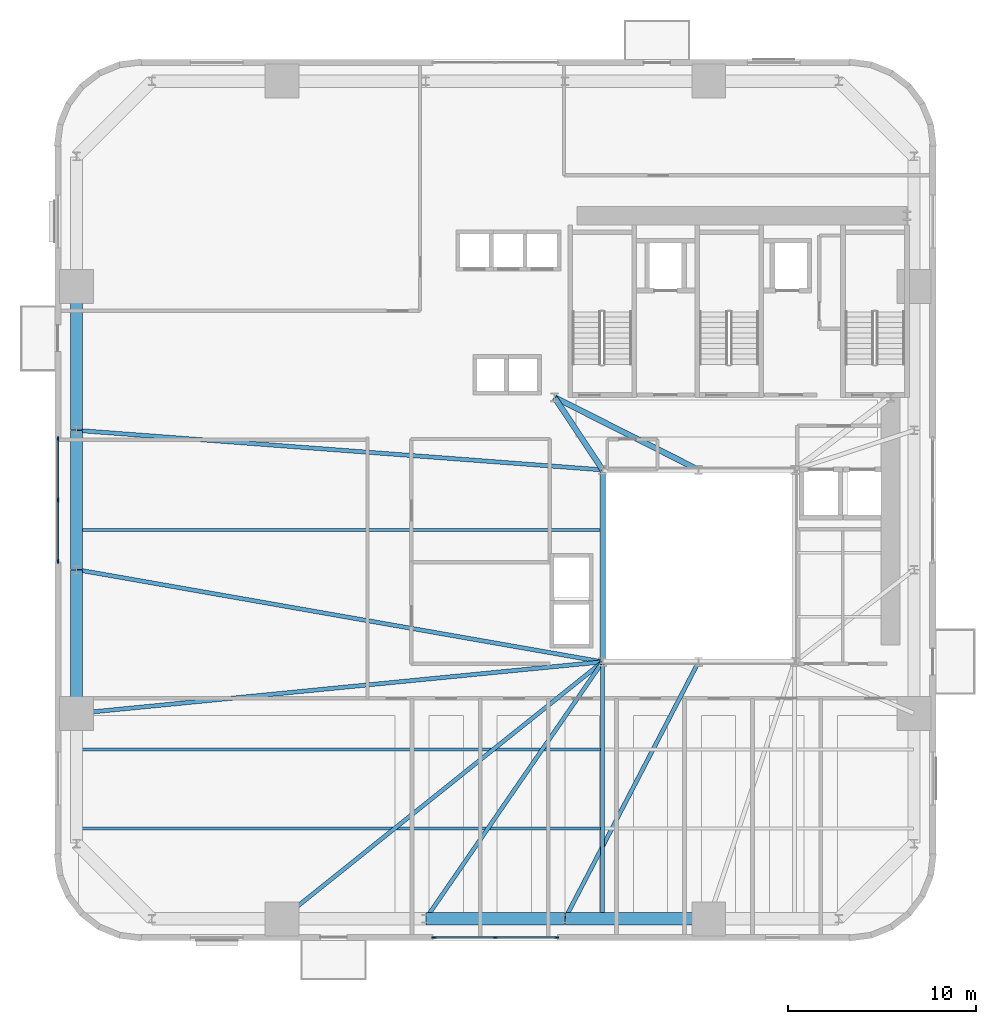
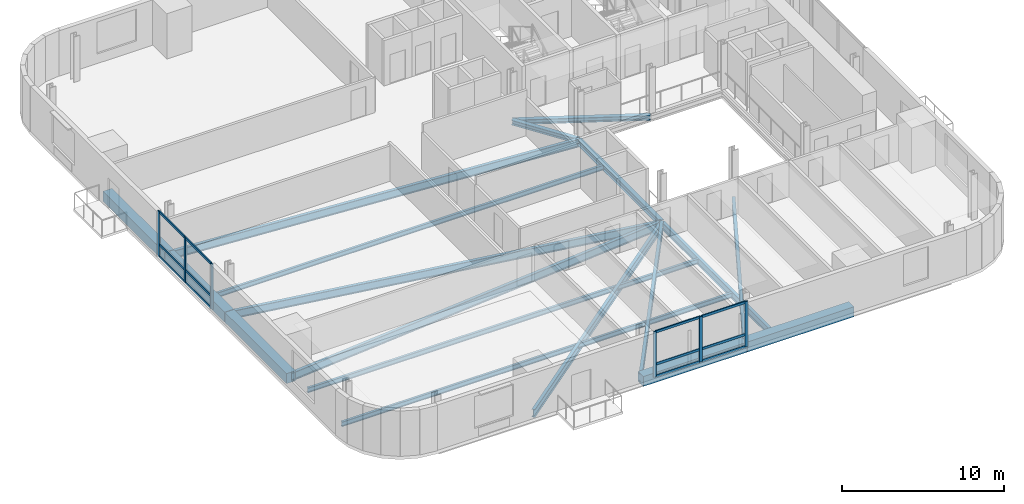
# One storey, part 2 of 13: 18 beams, 18 members, 2 elements without a shape of their own.
"""IFC4 building model written with IfcOpenShell, lengths in metres."""

from ifc_helpers import new_model, si_unit, direction, frame, origin, origin_2d, place, context, subcontext, project, spatial, rectangle, i_section, extrude, source, transform, mapped, material, material_profile, profile_set, type_object, element, aggregate, save


model = new_model("IFC4")

# Units and contexts
model_context = context("Model", 3, precision=1e-05, world=origin(), true_north=direction((0.0, 1.0)))
body_context = subcontext(model_context, "Body", "Model", "MODEL_VIEW")
ifc_project = project(units=[si_unit("LENGTHUNIT", "METRE"), si_unit("AREAUNIT", "SQUARE_METRE"), si_unit("VOLUMEUNIT", "CUBIC_METRE"), si_unit("PLANEANGLEUNIT", "RADIAN"), si_unit("MASSUNIT", "GRAM", prefix="KILO")], contexts=[model_context])

# Site, building, storey
site_placement = place(None, origin())
site = spatial("IfcSite", under=ifc_project, at=site_placement, CompositionType="ELEMENT")
building_placement = place(site_placement, origin())
building = spatial("IfcBuilding", under=site, at=building_placement, Name="Vardaveli Station Tower", CompositionType="ELEMENT")
storey_placement = place(building_placement, frame((0.0, 0.0, 64.10009765625)))
storey = spatial("IfcBuildingStorey", under=building, at=storey_placement, Name="L16", CompositionType="ELEMENT", Elevation=64.10009765625)

# Beams
ifc_material_1 = material(Name="Structural steel S355J2", Category="steel")
ifc_material_profile_1 = material_profile(ifc_material_1, i_section(OverallWidth=0.300048828125, OverallDepth=0.449951171875, WebThickness=0.013916015625, FlangeThickness=0.02587890625, FilletRadius=0.027099609375, at=origin_2d()), Name="HEB 450")
ifc_profile_set_1 = profile_set([ifc_material_profile_1], Name="Structural steel S355J2")
beam_type_1 = type_object("IfcBeamType", Name="BM-HEB450", PredefinedType="BEAM", material=ifc_profile_set_1)
shared_shape_1 = source(origin(), body_context, "Body", "SweptSolid", [
    extrude(i_section(OverallWidth=0.300048828125, OverallDepth=0.449951171875, WebThickness=0.013916015625, FlangeThickness=0.02587890625, FilletRadius=0.027099609375, at=origin_2d()), origin(), (0.0, 0.0, 1.0), 10.159912109375),
])
beam_1_placement = place(storey_placement, frame((31.199951171875, 26.780029296875, -0.465087890625), z_axis=(0.0, -1.0, 0.0), x_axis=(1.0, 0.0, 0.0)))
element("IfcBeam", 1, at=beam_1_placement, inside=storey, type_object=beam_type_1, Name="ABM-L16-06", PredefinedType="BEAM", context=body_context, shape_type="MappedRepresentation", body=[
    mapped(shared_shape_1, transform((0.0, 0.0, 0.0), scale=1.0)),
])
ifc_material_profile_2 = material_profile(ifc_material_1, i_section(OverallWidth=0.300048828125, OverallDepth=0.360107421875, WebThickness=0.012451171875, FlangeThickness=0.0224609375, FilletRadius=0.027099609375, at=origin_2d()), Name="HEB 360")
ifc_profile_set_2 = profile_set([ifc_material_profile_2], Name="Structural steel S355J2")
beam_type_2 = type_object("IfcBeamType", Name="BM-HEB360", PredefinedType="BEAM", material=ifc_profile_set_2)
shared_shape_2 = source(origin(), body_context, "Body", "SweptSolid", [
    extrude(i_section(OverallWidth=0.300048828125, OverallDepth=0.360107421875, WebThickness=0.012451171875, FlangeThickness=0.0224609375, FilletRadius=0.027099609375, at=origin_2d()), origin(), (0.0, 0.0, 1.0), 4.577880859375),
])
beam_2_placement = place(storey_placement, frame((31.18896484375, 26.816650390625, -0.420166015625), z_axis=(-0.55218702139, 0.833720272879, 0.0), x_axis=(-0.833720272879, -0.55218702139, 0.0)))
element("IfcBeam", 2, at=beam_2_placement, inside=storey, type_object=beam_type_2, Name="CBM-L16-01", PredefinedType="BEAM", context=body_context, shape_type="MappedRepresentation", body=[
    mapped(shared_shape_2, transform((0.0, 0.0, 0.0), scale=1.0)),
])
shared_shape_3 = source(origin(), body_context, "Body", "SweptSolid", [
    extrude(i_section(OverallWidth=0.300048828125, OverallDepth=0.360107421875, WebThickness=0.012451171875, FlangeThickness=0.0224609375, FilletRadius=0.027099609375, at=origin_2d()), origin(), (0.0, 0.0, 1.0), 8.524169921875),
])
beam_3_placement = place(storey_placement, frame((28.66796875, 30.64111328125, -0.420166015625), z_axis=(0.893255584708, -0.449549174605, 0.0), x_axis=(0.449549174605, 0.893255584708, 0.0)))
element("IfcBeam", 3, at=beam_3_placement, inside=storey, type_object=beam_type_2, Name="CBM-L16-03", PredefinedType="BEAM", context=body_context, shape_type="MappedRepresentation", body=[
    mapped(shared_shape_3, transform((0.0, 0.0, 0.0), scale=1.0)),
])
ifc_material_2 = material(Name="Precast concrete C45/55", Category="concrete")
ifc_material_profile_3 = material_profile(ifc_material_2, rectangle(XDim=0.64990234375, YDim=0.75, at=origin_2d()), Name="LPB 650x750")
ifc_profile_set_3 = profile_set([ifc_material_profile_3], Name="Precast concrete C45/55")
beam_type_3 = type_object("IfcBeamType", Name="BM-LPB-750", PredefinedType="BEAM", material=ifc_profile_set_3)
shared_shape_4 = source(origin(), body_context, "Body", "SweptSolid", [
    extrude(rectangle(XDim=0.64990234375, YDim=0.75, at=origin_2d()), origin(), (0.0, 0.0, 1.0), 7.60009765625),
])
for number, where, z_axis, x_axis, name in (
    (4, (29.219970703125, 2.949951171875, -0.614990234375), (1.0, 0.0, 0.0), (0.0, 1.0, 0.0), "RBM-L16-03"),
    (5, (3.25, 36.52001953125, -0.614990234375), (0.0, -1.0, 0.0), (1.0, 0.0, 0.0), "RBM-L16-19"),
    (6, (3.25, 21.47998046875, -0.614990234375), (0.0, -1.0, 0.0), (1.0, 0.0, 0.0), "RBM-L16-21"),
):
    element("IfcBeam", number, at=place(storey_placement, frame(where, z_axis=z_axis, x_axis=x_axis)), inside=storey, type_object=beam_type_3, Name=name, PredefinedType="BEAM", context=body_context, shape_type="MappedRepresentation", body=[
        mapped(shared_shape_4, transform((0.0, 0.0, 0.0), scale=1.0)),
    ])
shared_shape_5 = source(origin(), body_context, "Body", "SweptSolid", [
    extrude(rectangle(XDim=0.64990234375, YDim=0.75, at=origin_2d()), origin(), (0.0, 0.0, 1.0), 7.35986328125),
])
for number, where, z_axis, x_axis, name in (
    (7, (21.820068359375, 2.949951171875, -0.614990234375), (1.0, 0.0, 0.0), (0.0, 1.0, 0.0), "RBM-L16-02"),
    (8, (3.25, 28.8798828125, -0.614990234375), (0.0, -1.0, 0.0), (1.0, 0.0, 0.0), "RBM-L16-20"),
):
    element("IfcBeam", number, at=place(storey_placement, frame(where, z_axis=z_axis, x_axis=x_axis)), inside=storey, type_object=beam_type_3, Name=name, PredefinedType="BEAM", context=body_context, shape_type="MappedRepresentation", body=[
        mapped(shared_shape_5, transform((0.0, 0.0, 0.0), scale=1.0)),
    ])
ifc_material_profile_4 = material_profile(ifc_material_1, i_section(OverallWidth=0.219970703125, OverallDepth=0.60009765625, WebThickness=0.011962890625, FlangeThickness=0.01904296875, FilletRadius=0.02392578125, at=origin_2d()), Name="IPE 600")
ifc_profile_set_4 = profile_set([ifc_material_profile_4], Name="Structural steel S355J2")
beam_type_4 = type_object("IfcBeamType", Name="BM-IPE600", PredefinedType="BEAM", material=ifc_profile_set_4)
shared_shape_6 = source(origin(), body_context, "Body", "SweptSolid", [
    extrude(i_section(OverallWidth=0.219970703125, OverallDepth=0.60009765625, WebThickness=0.011962890625, FlangeThickness=0.01904296875, FilletRadius=0.02392578125, at=origin_2d()), origin(), (0.0, 0.0, 1.0), 21.793212890625),
])
beam_4_placement = place(storey_placement, frame((14.175537109375, 2.96240234375, -0.5400390625), z_axis=(0.780466445023, 0.625197671296, 0.0), x_axis=(-0.625197671296, 0.780466445023, 0.0)))
element("IfcBeam", 9, at=beam_4_placement, inside=storey, type_object=beam_type_4, Name="GBM-L16-01", PredefinedType="BEAM", context=body_context, shape_type="MappedRepresentation", body=[
    mapped(shared_shape_6, transform((0.0, 0.0, 0.0), scale=1.0)),
])
shared_shape_7 = source(origin(), body_context, "Body", "SweptSolid", [
    extrude(i_section(OverallWidth=0.219970703125, OverallDepth=0.60009765625, WebThickness=0.011962890625, FlangeThickness=0.01904296875, FilletRadius=0.02392578125, at=origin_2d()), origin(), (0.0, 0.0, 1.0), 16.533447265625),
])
beam_5_placement = place(storey_placement, frame((21.811279296875, 2.966552734375, -0.5400390625), z_axis=(0.567177272103, 0.823595739431, 0.0), x_axis=(-0.823595739431, 0.567177272103, 0.0)))
element("IfcBeam", 10, at=beam_5_placement, inside=storey, type_object=beam_type_4, Name="GBM-L16-02", PredefinedType="BEAM", context=body_context, shape_type="MappedRepresentation", body=[
    mapped(shared_shape_7, transform((0.0, 0.0, 0.0), scale=1.0)),
])
shared_shape_8 = source(origin(), body_context, "Body", "SweptSolid", [
    extrude(i_section(OverallWidth=0.219970703125, OverallDepth=0.60009765625, WebThickness=0.011962890625, FlangeThickness=0.01904296875, FilletRadius=0.02392578125, at=origin_2d()), origin(), (0.0, 0.0, 1.0), 15.34619140625),
])
beam_6_placement = place(storey_placement, frame((29.209228515625, 2.9677734375, -0.5400390625), z_axis=(0.461455420507, 0.887163398075, 0.0), x_axis=(-0.887163398075, 0.461455420507, 0.0)))
element("IfcBeam", 11, at=beam_6_placement, inside=storey, type_object=beam_type_4, Name="GBM-L16-03", PredefinedType="BEAM", context=body_context, shape_type="MappedRepresentation", body=[
    mapped(shared_shape_8, transform((0.0, 0.0, 0.0), scale=1.0)),
])
shared_shape_9 = source(origin(), body_context, "Body", "SweptSolid", [
    extrude(i_section(OverallWidth=0.219970703125, OverallDepth=0.60009765625, WebThickness=0.011962890625, FlangeThickness=0.01904296875, FilletRadius=0.02392578125, at=origin_2d()), origin(), (0.0, 0.0, 1.0), 27.98876953125),
])
beam_7_placement = place(storey_placement, frame((3.27001953125, 28.8984375, -0.5400390625), z_axis=(0.99718954315, -0.074920057611, 0.0), x_axis=(0.074920057611, 0.99718954315, 0.0)))
element("IfcBeam", 12, at=beam_7_placement, inside=storey, type_object=beam_type_4, Name="GBM-L16-08", PredefinedType="BEAM", context=body_context, shape_type="MappedRepresentation", body=[
    mapped(shared_shape_9, transform((0.0, 0.0, 0.0), scale=1.0)),
])
shared_shape_10 = source(origin(), body_context, "Body", "SweptSolid", [
    extrude(i_section(OverallWidth=0.219970703125, OverallDepth=0.60009765625, WebThickness=0.011962890625, FlangeThickness=0.01904296875, FilletRadius=0.02392578125, at=origin_2d()), origin(), (0.0, 0.0, 1.0), 28.33642578125),
])
beam_8_placement = place(storey_placement, frame((3.269775390625, 21.49658203125, -0.5400390625), z_axis=(0.984978267336, -0.172678350921, 0.0), x_axis=(0.172678350921, 0.984978267336, 0.0)))
element("IfcBeam", 13, at=beam_8_placement, inside=storey, type_object=beam_type_4, Name="GBM-L16-09", PredefinedType="BEAM", context=body_context, shape_type="MappedRepresentation", body=[
    mapped(shared_shape_10, transform((0.0, 0.0, 0.0), scale=1.0)),
])
shared_shape_11 = source(origin(), body_context, "Body", "SweptSolid", [
    extrude(i_section(OverallWidth=0.219970703125, OverallDepth=0.60009765625, WebThickness=0.011962890625, FlangeThickness=0.01904296875, FilletRadius=0.02392578125, at=origin_2d()), origin(), (0.0, 0.0, 1.0), 28.0439453125),
])
beam_9_placement = place(storey_placement, frame((3.27001953125, 13.862060546875, -0.5400390625), z_axis=(0.995229237856, 0.097564153855, 0.0), x_axis=(-0.097564153855, 0.995229237856, 0.0)))
element("IfcBeam", 14, at=beam_9_placement, inside=storey, type_object=beam_type_4, Name="GBM-L16-10", PredefinedType="BEAM", context=body_context, shape_type="MappedRepresentation", body=[
    mapped(shared_shape_11, transform((0.0, 0.0, 0.0), scale=1.0)),
])
ifc_material_profile_5 = material_profile(ifc_material_1, i_section(OverallWidth=0.2099609375, OverallDepth=0.550048828125, WebThickness=0.010986328125, FlangeThickness=0.01708984375, FilletRadius=0.02392578125, at=origin_2d()), Name="IPE 550")
ifc_profile_set_5 = profile_set([ifc_material_profile_5], Name="Structural steel S355J2")
beam_type_5 = type_object("IfcBeamType", Name="BM-IPE550", PredefinedType="BEAM", material=ifc_profile_set_5)
shared_shape_12 = source(origin(), body_context, "Body", "SweptSolid", [
    extrude(i_section(OverallWidth=0.2099609375, OverallDepth=0.550048828125, WebThickness=0.010986328125, FlangeThickness=0.01708984375, FilletRadius=0.02392578125, at=origin_2d()), origin(), (0.0, 0.0, 1.0), 13.469970703125),
])
beam_10_placement = place(storey_placement, frame((31.199951171875, 2.989990234375, -0.51513671875), z_axis=(0.0, 1.0, 0.0), x_axis=(-1.0, 0.0, 0.0)))
element("IfcBeam", 15, at=beam_10_placement, inside=storey, type_object=beam_type_5, Name="NSM-L16-S1", PredefinedType="BEAM", context=body_context, shape_type="MappedRepresentation", body=[
    mapped(shared_shape_12, transform((0.0, 0.0, 0.0), scale=1.0)),
])
ifc_material_profile_6 = material_profile(ifc_material_1, i_section(OverallWidth=0.169921875, OverallDepth=0.360107421875, WebThickness=0.008056640625, FlangeThickness=0.0126953125, FilletRadius=0.01806640625, at=origin_2d()), Name="IPE 360")
ifc_profile_set_6 = profile_set([ifc_material_profile_6], Name="Structural steel S355J2")
beam_type_6 = type_object("IfcBeamType", Name="BM-IPE360", PredefinedType="JOIST", material=ifc_profile_set_6)
shared_shape_13 = source(origin(), body_context, "Body", "SweptSolid", [
    extrude(i_section(OverallWidth=0.169921875, OverallDepth=0.360107421875, WebThickness=0.008056640625, FlangeThickness=0.0126953125, FilletRadius=0.01806640625, at=origin_2d()), origin(), (0.0, 0.0, 1.0), 27.7978515625),
])
for number, where, z_axis, x_axis, name in (
    (16, (3.2900390625, 7.75, -0.420166015625), (1.0, 0.0, 0.0), (0.0, 1.0, 0.0), "SJ-L16-S01"),
    (17, (3.2900390625, 11.949951171875, -0.420166015625), (1.0, 0.0, 0.0), (0.0, 1.0, 0.0), "SJ-L16-S04"),
    (18, (3.2900390625, 23.60009765625, -0.420166015625), (1.0, 0.0, 0.0), (0.0, 1.0, 0.0), "SJ-L16-W08"),
):
    element("IfcBeam", number, at=place(storey_placement, frame(where, z_axis=z_axis, x_axis=x_axis)), inside=storey, type_object=beam_type_6, Name=name, PredefinedType="JOIST", context=body_context, shape_type="MappedRepresentation", body=[
        mapped(shared_shape_13, transform((0.0, 0.0, 0.0), scale=1.0)),
    ])

# Curtain wall, members
ifc_material_3 = material(Name="Travertine stone and solar-control glass", Category="masonry")
curtain_wall_type = type_object("IfcCurtainWallType", Name="CW-SYS-2", PredefinedType="NOTDEFINED", material=ifc_material_3)
curtain_wall_1_placement = place(storey_placement, origin())
curtain_wall_1 = element("IfcCurtainWall", 19, at=curtain_wall_1_placement, inside=storey, type_object=curtain_wall_type, Name="CW-L16-S", PredefinedType="NOTDEFINED")
ifc_material_4 = material(Name="Anodised aluminium alloy 6063-T6", Category="aluminium")
ifc_material_profile_7 = material_profile(ifc_material_4, rectangle(XDim=0.0849609375, YDim=0.219970703125, at=origin_2d()), Name="CWM 85x220")
ifc_profile_set_7 = profile_set([ifc_material_profile_7], Name="Anodised aluminium alloy 6063-T6")
member_type_1 = type_object("IfcMemberType", Name="CW-SYS-2-MULL", PredefinedType="MULLION", material=ifc_profile_set_7)
shared_shape_14 = source(origin(), body_context, "Body", "SweptSolid", [
    extrude(rectangle(XDim=0.0849609375, YDim=0.219970703125, at=origin_2d()), origin(), (0.0, 0.0, 1.0), 3.409912109375),
])
member_1_placement = place(storey_placement, frame((22.242431640625, 1.9599609375, 0.0), z_axis=(0.0, 0.0, 1.0), x_axis=(0.0, 1.0, 0.0)))
member_1 = element("IfcMember", 20, at=member_1_placement, type_object=member_type_1, Name="CW-2 mullion 1", PredefinedType="MULLION", context=body_context, shape_type="MappedRepresentation", body=[
    mapped(shared_shape_14, transform((0.0, 0.0, 0.0), scale=1.0)),
])
member_2_placement = place(storey_placement, frame((25.5, 1.9599609375, 0.0), z_axis=(0.0, 0.0, 1.0), x_axis=(0.0, 1.0, 0.0)))
member_2 = element("IfcMember", 21, at=member_2_placement, type_object=member_type_1, Name="CW-2 mullion 2", PredefinedType="MULLION", context=body_context, shape_type="MappedRepresentation", body=[
    mapped(shared_shape_14, transform((0.0, 0.0, 0.0), scale=1.0)),
])
member_3_placement = place(storey_placement, frame((28.757568359375, 1.9599609375, 0.0), z_axis=(0.0, 0.0, 1.0), x_axis=(0.0, 1.0, 0.0)))
member_3 = element("IfcMember", 22, at=member_3_placement, type_object=member_type_1, Name="CW-2 mullion 3", PredefinedType="MULLION", context=body_context, shape_type="MappedRepresentation", body=[
    mapped(shared_shape_14, transform((0.0, 0.0, 0.0), scale=1.0)),
])

curtain_wall_2_placement = place(storey_placement, origin())
curtain_wall_2 = element("IfcCurtainWall", 23, at=curtain_wall_2_placement, inside=storey, type_object=curtain_wall_type, Name="CW-L16-W", PredefinedType="NOTDEFINED")
member_4_placement = place(storey_placement, frame((2.260009765625, 28.45751953125, 0.0), z_axis=(0.0, 0.0, 1.0), x_axis=(1.0, 0.0, 0.0)))
member_4 = element("IfcMember", 24, at=member_4_placement, type_object=member_type_1, Name="CW-2 mullion 1", PredefinedType="MULLION", context=body_context, shape_type="MappedRepresentation", body=[
    mapped(shared_shape_14, transform((0.0, 0.0, 0.0), scale=1.0)),
])
member_5_placement = place(storey_placement, frame((2.260009765625, 25.199951171875, 0.0), z_axis=(0.0, 0.0, 1.0), x_axis=(1.0, 0.0, 0.0)))
member_5 = element("IfcMember", 25, at=member_5_placement, type_object=member_type_1, Name="CW-2 mullion 2", PredefinedType="MULLION", context=body_context, shape_type="MappedRepresentation", body=[
    mapped(shared_shape_14, transform((0.0, 0.0, 0.0), scale=1.0)),
])
member_6_placement = place(storey_placement, frame((2.260009765625, 21.9423828125, 0.0), z_axis=(0.0, 0.0, 1.0), x_axis=(1.0, 0.0, 0.0)))
member_6 = element("IfcMember", 26, at=member_6_placement, type_object=member_type_1, Name="CW-2 mullion 3", PredefinedType="MULLION", context=body_context, shape_type="MappedRepresentation", body=[
    mapped(shared_shape_14, transform((0.0, 0.0, 0.0), scale=1.0)),
])

# Member
ifc_material_profile_8 = material_profile(ifc_material_4, rectangle(XDim=0.0849609375, YDim=0.179931640625, at=origin_2d()), Name="CWT 85x180")
ifc_profile_set_8 = profile_set([ifc_material_profile_8], Name="Anodised aluminium alloy 6063-T6")
member_type_2 = type_object("IfcMemberType", Name="CW-SYS-2-TRAN", PredefinedType="NOTDEFINED", material=ifc_profile_set_8)
shared_shape_15 = source(origin(), body_context, "Body", "SweptSolid", [
    extrude(rectangle(XDim=0.0849609375, YDim=0.179931640625, at=origin_2d()), origin(), (0.0, 0.0, 1.0), 3.172607421875),
])
member_7_placement = place(storey_placement, frame((22.284912109375, 1.9599609375, 0.04248046875), z_axis=(1.0, 0.0, 0.0), x_axis=(0.0, 1.0, 0.0)))
member_7 = element("IfcMember", 27, at=member_7_placement, type_object=member_type_2, Name="CW-2 transom 1.1", ObjectType="TRANSOM", PredefinedType="USERDEFINED", context=body_context, shape_type="MappedRepresentation", body=[
    mapped(shared_shape_15, transform((0.0, 0.0, 0.0), scale=1.0)),
])

member_8_placement = place(storey_placement, frame((22.284912109375, 1.9599609375, 0.949951171875), z_axis=(1.0, 0.0, 0.0), x_axis=(0.0, 1.0, 0.0)))
member_8 = element("IfcMember", 28, at=member_8_placement, type_object=member_type_2, Name="CW-2 transom 1.2", ObjectType="TRANSOM", PredefinedType="USERDEFINED", context=body_context, shape_type="MappedRepresentation", body=[
    mapped(shared_shape_15, transform((0.0, 0.0, 0.0), scale=1.0)),
])

member_9_placement = place(storey_placement, frame((22.284912109375, 1.9599609375, 3.367431640625), z_axis=(1.0, 0.0, 0.0), x_axis=(0.0, 1.0, 0.0)))
member_9 = element("IfcMember", 29, at=member_9_placement, type_object=member_type_2, Name="CW-2 transom 1.3", ObjectType="TRANSOM", PredefinedType="USERDEFINED", context=body_context, shape_type="MappedRepresentation", body=[
    mapped(shared_shape_15, transform((0.0, 0.0, 0.0), scale=1.0)),
])

member_10_placement = place(storey_placement, frame((25.54248046875, 1.9599609375, 0.04248046875), z_axis=(1.0, 0.0, 0.0), x_axis=(0.0, 1.0, 0.0)))
member_10 = element("IfcMember", 30, at=member_10_placement, type_object=member_type_2, Name="CW-2 transom 2.1", ObjectType="TRANSOM", PredefinedType="USERDEFINED", context=body_context, shape_type="MappedRepresentation", body=[
    mapped(shared_shape_15, transform((0.0, 0.0, 0.0), scale=1.0)),
])

member_11_placement = place(storey_placement, frame((25.54248046875, 1.9599609375, 0.949951171875), z_axis=(1.0, 0.0, 0.0), x_axis=(0.0, 1.0, 0.0)))
member_11 = element("IfcMember", 31, at=member_11_placement, type_object=member_type_2, Name="CW-2 transom 2.2", ObjectType="TRANSOM", PredefinedType="USERDEFINED", context=body_context, shape_type="MappedRepresentation", body=[
    mapped(shared_shape_15, transform((0.0, 0.0, 0.0), scale=1.0)),
])

member_12_placement = place(storey_placement, frame((25.54248046875, 1.9599609375, 3.367431640625), z_axis=(1.0, 0.0, 0.0), x_axis=(0.0, 1.0, 0.0)))
member_12 = element("IfcMember", 32, at=member_12_placement, type_object=member_type_2, Name="CW-2 transom 2.3", ObjectType="TRANSOM", PredefinedType="USERDEFINED", context=body_context, shape_type="MappedRepresentation", body=[
    mapped(shared_shape_15, transform((0.0, 0.0, 0.0), scale=1.0)),
])

aggregate(curtain_wall_1, [member_1, member_2, member_3, member_7, member_8, member_9, member_10, member_11, member_12])

member_13_placement = place(storey_placement, frame((2.260009765625, 28.4150390625, 0.04248046875), z_axis=(0.0, -1.0, 0.0), x_axis=(1.0, 0.0, 0.0)))
member_13 = element("IfcMember", 33, at=member_13_placement, type_object=member_type_2, Name="CW-2 transom 1.1", ObjectType="TRANSOM", PredefinedType="USERDEFINED", context=body_context, shape_type="MappedRepresentation", body=[
    mapped(shared_shape_15, transform((0.0, 0.0, 0.0), scale=1.0)),
])

member_14_placement = place(storey_placement, frame((2.260009765625, 28.4150390625, 0.949951171875), z_axis=(0.0, -1.0, 0.0), x_axis=(1.0, 0.0, 0.0)))
member_14 = element("IfcMember", 34, at=member_14_placement, type_object=member_type_2, Name="CW-2 transom 1.2", ObjectType="TRANSOM", PredefinedType="USERDEFINED", context=body_context, shape_type="MappedRepresentation", body=[
    mapped(shared_shape_15, transform((0.0, 0.0, 0.0), scale=1.0)),
])

member_15_placement = place(storey_placement, frame((2.260009765625, 28.4150390625, 3.367431640625), z_axis=(0.0, -1.0, 0.0), x_axis=(1.0, 0.0, 0.0)))
member_15 = element("IfcMember", 35, at=member_15_placement, type_object=member_type_2, Name="CW-2 transom 1.3", ObjectType="TRANSOM", PredefinedType="USERDEFINED", context=body_context, shape_type="MappedRepresentation", body=[
    mapped(shared_shape_15, transform((0.0, 0.0, 0.0), scale=1.0)),
])

shared_shape_16 = source(origin(), body_context, "Body", "SweptSolid", [
    extrude(rectangle(XDim=0.0849609375, YDim=0.179931640625, at=origin_2d()), origin(), (0.0, 0.0, 1.0), 3.17236328125),
])
member_16_placement = place(storey_placement, frame((2.260009765625, 25.157470703125, 0.04248046875), z_axis=(0.0, -1.0, 0.0), x_axis=(1.0, 0.0, 0.0)))
member_16 = element("IfcMember", 36, at=member_16_placement, type_object=member_type_2, Name="CW-2 transom 2.1", ObjectType="TRANSOM", PredefinedType="USERDEFINED", context=body_context, shape_type="MappedRepresentation", body=[
    mapped(shared_shape_16, transform((0.0, 0.0, 0.0), scale=1.0)),
])

member_17_placement = place(storey_placement, frame((2.260009765625, 25.157470703125, 0.949951171875), z_axis=(0.0, -1.0, 0.0), x_axis=(1.0, 0.0, 0.0)))
member_17 = element("IfcMember", 37, at=member_17_placement, type_object=member_type_2, Name="CW-2 transom 2.2", ObjectType="TRANSOM", PredefinedType="USERDEFINED", context=body_context, shape_type="MappedRepresentation", body=[
    mapped(shared_shape_16, transform((0.0, 0.0, 0.0), scale=1.0)),
])

member_18_placement = place(storey_placement, frame((2.260009765625, 25.157470703125, 3.367431640625), z_axis=(0.0, -1.0, 0.0), x_axis=(1.0, 0.0, 0.0)))
member_18 = element("IfcMember", 38, at=member_18_placement, type_object=member_type_2, Name="CW-2 transom 2.3", ObjectType="TRANSOM", PredefinedType="USERDEFINED", context=body_context, shape_type="MappedRepresentation", body=[
    mapped(shared_shape_16, transform((0.0, 0.0, 0.0), scale=1.0)),
])

aggregate(curtain_wall_2, [member_4, member_5, member_6, member_13, member_14, member_15, member_16, member_17, member_18])

save(model, "model.ifc")
